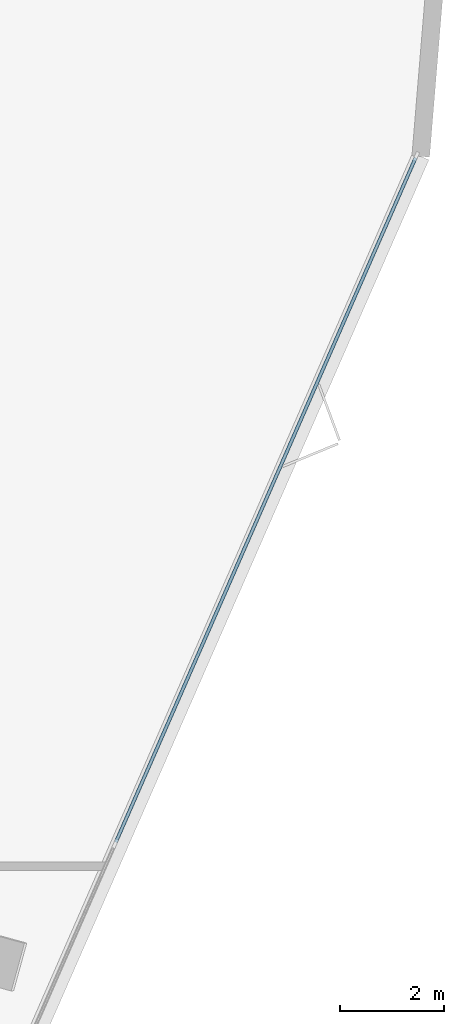
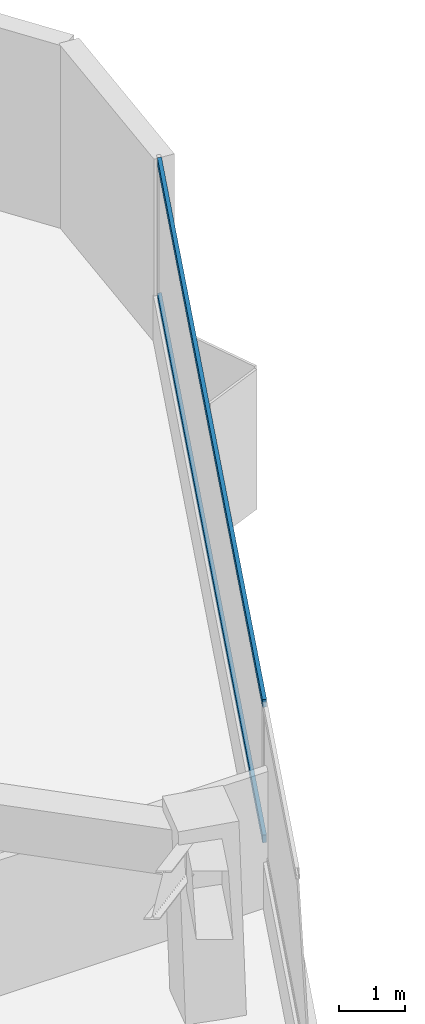
# One storey, part 10 of 20: 2 members, 1 element without a shape of its own.
"""IFC4 building model written with IfcOpenShell, lengths in metres."""

from ifc_helpers import new_model, si_unit, direction, frame, origin, origin_2d, place, context, subcontext, project, spatial, rectangle, extrude, material, layer, layer_set, material_profile, profile_set, type_object, element, aggregate, save


model = new_model("IFC4")

# Units and contexts
model_context = context("Model", 3, precision=1e-05, world=origin(), true_north=direction((0.0, 1.0)))
body_context = subcontext(model_context, "Body", "Model", "MODEL_VIEW")
ifc_project = project(units=[si_unit("LENGTHUNIT", "METRE"), si_unit("AREAUNIT", "SQUARE_METRE"), si_unit("VOLUMEUNIT", "CUBIC_METRE"), si_unit("PLANEANGLEUNIT", "RADIAN"), si_unit("MASSUNIT", "GRAM", prefix="KILO")], contexts=[model_context])

# Site, building, storey
site_placement = place(None, origin())
site = spatial("IfcSite", under=ifc_project, at=site_placement, CompositionType="ELEMENT")
building_placement = place(site_placement, origin())
building = spatial("IfcBuilding", under=site, at=building_placement, Name="Talyreon Biosciences Tower", CompositionType="ELEMENT")
storey_placement = place(building_placement, frame((0.0, 0.0, 41.050048828125)))
storey = spatial("IfcBuildingStorey", under=building, at=storey_placement, Name="L10", CompositionType="ELEMENT", Elevation=41.050048828125)

# Curtain wall, members
ifc_material_1 = material(Name="Thermally broken aluminium and low-E glazing", Category="aluminium")
ifc_layer = layer(ifc_material_1, 0.195068359375)
ifc_layer_set = layer_set([ifc_layer], Name="Thermally broken aluminium and low-E glazing")
curtain_wall_type = type_object("IfcCurtainWallType", Name="CurtainWall_Zone1WetLab", PredefinedType="NOTDEFINED", material=ifc_layer_set)
curtain_wall_placement = place(storey_placement, origin())
curtain_wall = element("IfcCurtainWall", 1, at=curtain_wall_placement, inside=storey, type_object=curtain_wall_type, Name="L10 Unitised Curtain Wall FCW-L10-08", PredefinedType="NOTDEFINED")
ifc_material_2 = material(Name="Anodised thermally broken aluminium", Category="aluminium")
ifc_material_profile = material_profile(ifc_material_2, rectangle(XDim=0.06494140625, YDim=0.139892578125, at=origin_2d()), Name="ALUM TRANSOM 65x140")
ifc_profile_set = profile_set([ifc_material_profile], Name="Anodised thermally broken aluminium")
member_type = type_object("IfcMemberType", Name="CWTransom_65x140", PredefinedType="USERDEFINED", material=ifc_profile_set)
member_1_placement = place(storey_placement, frame((99.709716796875, 84.873779296875, 0.842529296875), z_axis=(-0.401215092974, -0.915983869492, 0.0), x_axis=(0.915983869492, -0.401215092974, 0.0)))
member_1 = element("IfcMember", 2, at=member_1_placement, type_object=member_type, Name="CW2 transom 1.1", ObjectType="TRANSOM", PredefinedType="USERDEFINED", context=body_context, shape_type="SweptSolid", body=[
    extrude(rectangle(XDim=0.06494140625, YDim=0.139892578125, at=origin_2d()), origin(), (0.0, 0.0, 1.0), 14.38134765625),
])
member_2_placement = place(storey_placement, frame((99.709716796875, 84.873779296875, 3.342529296875), z_axis=(-0.401215092974, -0.915983869492, 0.0), x_axis=(0.915983869492, -0.401215092974, 0.0)))
member_2 = element("IfcMember", 3, at=member_2_placement, type_object=member_type, Name="CW2 transom 1.2", ObjectType="TRANSOM", PredefinedType="USERDEFINED", context=body_context, shape_type="SweptSolid", body=[
    extrude(rectangle(XDim=0.06494140625, YDim=0.139892578125, at=origin_2d()), origin(), (0.0, 0.0, 1.0), 14.38134765625),
])
aggregate(curtain_wall, [member_1, member_2])

save(model, "model.ifc")
